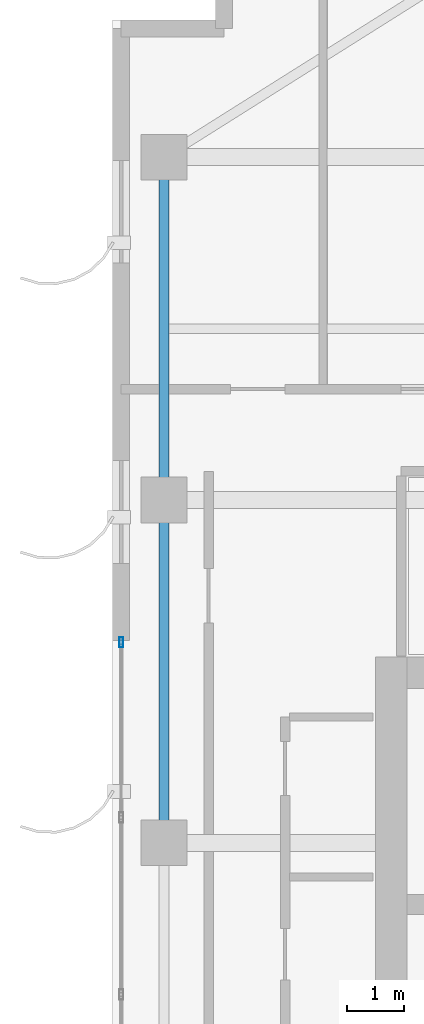
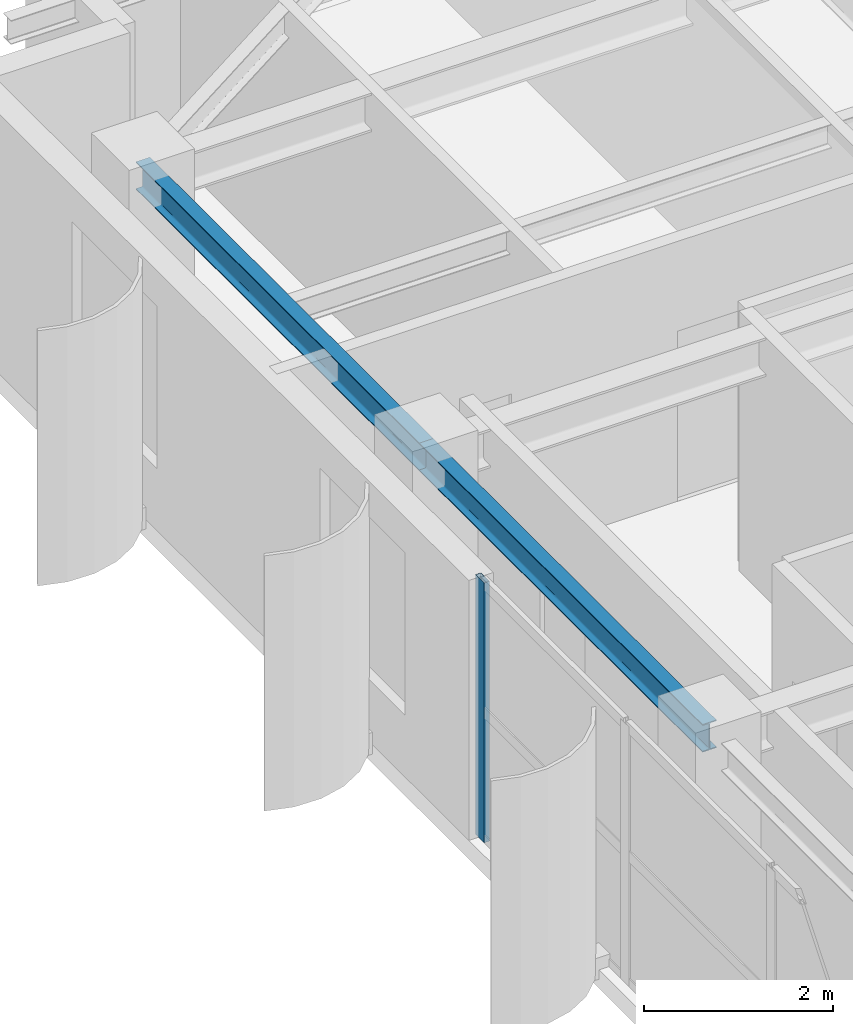
# One storey, part 8 of 24: 2 beams, 1 member, 1 element without a shape of its own.
"""IFC4 building model written with IfcOpenShell, lengths in metres."""

from ifc_helpers import new_model, si_unit, direction, frame, origin, origin_2d, place, context, subcontext, project, spatial, hollow_rectangle, i_section, extrude, source, transform, mapped, material, layer, layer_set, material_profile, profile_set, type_object, element, aggregate, save


model = new_model("IFC4")

# Units and contexts
model_context = context("Model", 3, precision=1e-05, world=origin(), true_north=direction((0.0, 1.0)))
body_context = subcontext(model_context, "Body", "Model", "MODEL_VIEW")
ifc_project = project(units=[si_unit("LENGTHUNIT", "METRE"), si_unit("AREAUNIT", "SQUARE_METRE"), si_unit("VOLUMEUNIT", "CUBIC_METRE"), si_unit("PLANEANGLEUNIT", "RADIAN"), si_unit("MASSUNIT", "GRAM", prefix="KILO")], contexts=[model_context])

# Site, building, storey
site_placement = place(None, origin())
site = spatial("IfcSite", under=ifc_project, at=site_placement, CompositionType="ELEMENT")
building_placement = place(site_placement, origin())
building = spatial("IfcBuilding", under=site, at=building_placement, Name="Khoralis Quay Care Tower", CompositionType="ELEMENT")
storey_placement = place(building_placement, frame((0.0, 0.0, 238.5)))
storey = spatial("IfcBuildingStorey", under=building, at=storey_placement, Name="L62", CompositionType="ELEMENT", Elevation=238.5)

# Beams
ifc_material_1 = material(Name="Steel S355", Category="steel")
ifc_material_profile_1 = material_profile(ifc_material_1, i_section(OverallWidth=0.169921875, OverallDepth=0.360107421875, WebThickness=0.008056640625, FlangeThickness=0.0126953125, FilletRadius=0.01806640625, at=origin_2d()), Name="Steel S355")
ifc_profile_set_1 = profile_set([ifc_material_profile_1], Name="Steel S355")
beam_type = type_object("IfcBeamType", Name="BM-IPE360", PredefinedType="SPANDREL", material=ifc_profile_set_1)
shared_shape_1 = source(origin(), body_context, "Body", "SweptSolid", [
    extrude(i_section(OverallWidth=0.169921875, OverallDepth=0.360107421875, WebThickness=0.008056640625, FlangeThickness=0.0126953125, FilletRadius=0.01806640625, at=origin_2d()), origin(), (0.0, 0.0, 1.0), 6.0),
])
for number, where, z_axis, x_axis, name in (
    (1, (3.89990234375, 24.0, 3.179931640625), (0.0, 1.0, 0.0), (-1.0, 0.0, 0.0), "BM-TSP-L62-07"),
    (2, (3.89990234375, 30.0, 3.179931640625), (0.0, 1.0, 0.0), (-1.0, 0.0, 0.0), "BM-TSP-L62-08"),
):
    element("IfcBeam", number, at=place(storey_placement, frame(where, z_axis=z_axis, x_axis=x_axis)), inside=storey, type_object=beam_type, Name=name, PredefinedType="SPANDREL", context=body_context, shape_type="MappedRepresentation", body=[
        mapped(shared_shape_1, transform((0.0, 0.0, 0.0), scale=1.0)),
    ])

# Curtain wall, member
ifc_material_2 = material(Name="Pale anodised aluminium", Category="aluminium")
ifc_layer = layer(ifc_material_2, 0.159912109375)
ifc_layer_set = layer_set([ifc_layer], Name="Pale anodised aluminium")
curtain_wall_type = type_object("IfcCurtainWallType", Name="CW-SYS-Z3", PredefinedType="NOTDEFINED", material=ifc_layer_set)
curtain_wall_placement = place(storey_placement, origin())
curtain_wall = element("IfcCurtainWall", 3, at=curtain_wall_placement, inside=storey, type_object=curtain_wall_type, Name="L62 Unitised Curtain Wall CW-L62-P1-E7", PredefinedType="NOTDEFINED")
ifc_material_profile_2 = material_profile(ifc_material_2, hollow_rectangle(XDim=0.06494140625, YDim=0.179931640625, WallThickness=0.00390625, at=origin_2d()), Name="Pale anodised aluminium")
ifc_profile_set_2 = profile_set([ifc_material_profile_2], Name="Pale anodised aluminium")
member_type = type_object("IfcMemberType", Name="CW-MUL-180", PredefinedType="MULLION", material=ifc_profile_set_2)
shared_shape_2 = source(origin(), body_context, "Body", "SweptSolid", [
    extrude(hollow_rectangle(XDim=0.06494140625, YDim=0.179931640625, WallThickness=0.00390625, at=origin_2d()), origin(), (0.0, 0.0, 1.0), 3.360107421875),
])
member_placement = place(storey_placement, frame((3.14990234375, 27.510009765625, 0.0), z_axis=(0.0, 0.0, 1.0), x_axis=(1.0, 0.0, 0.0)))
member = element("IfcMember", 4, at=member_placement, type_object=member_type, Name="CW3 mullion 1", PredefinedType="MULLION", context=body_context, shape_type="MappedRepresentation", body=[
    mapped(shared_shape_2, transform((0.0, 0.0, 0.0), scale=1.0)),
])
aggregate(curtain_wall, [member])

save(model, "model.ifc")
